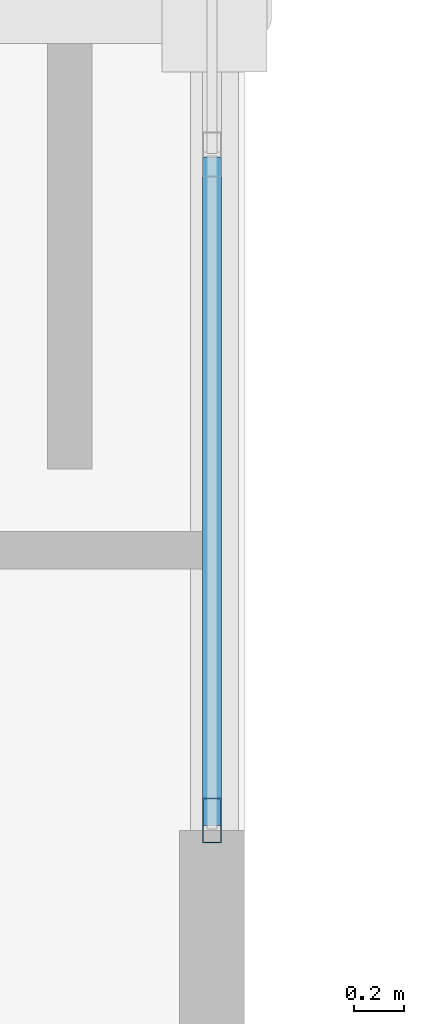
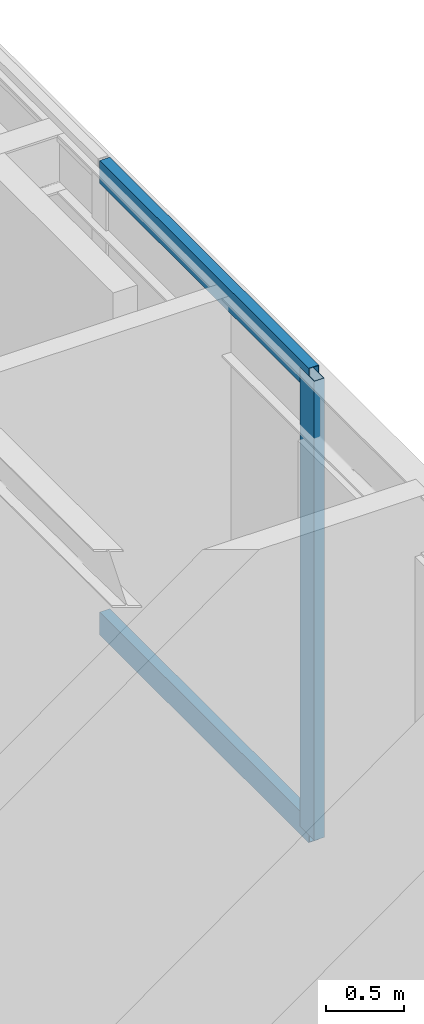
# One storey, part 2 of 19: 3 members, 1 element without a shape of its own.
"""IFC4 building model written with IfcOpenShell, lengths in metres."""

from ifc_helpers import new_model, si_unit, direction, frame, origin, origin_2d, place, context, subcontext, project, spatial, hollow_rectangle, extrude, material, material_profile, profile_set, type_object, element, aggregate, save


model = new_model("IFC4")

# Units and contexts
model_context = context("Model", 3, precision=1e-05, world=origin(), true_north=direction((0.0, 1.0)))
body_context = subcontext(model_context, "Body", "Model", "MODEL_VIEW")
ifc_project = project(units=[si_unit("LENGTHUNIT", "METRE"), si_unit("AREAUNIT", "SQUARE_METRE"), si_unit("VOLUMEUNIT", "CUBIC_METRE"), si_unit("PLANEANGLEUNIT", "RADIAN"), si_unit("MASSUNIT", "GRAM", prefix="KILO")], contexts=[model_context])

# Site, building, storey
site_placement = place(None, origin())
site = spatial("IfcSite", under=ifc_project, at=site_placement, CompositionType="ELEMENT")
building_placement = place(site_placement, origin())
building = spatial("IfcBuilding", under=site, at=building_placement, Name="Ventersveld Concourse Tower", CompositionType="ELEMENT")
storey_placement = place(building_placement, frame((0.0, 0.0, 345.199951171875)))
storey = spatial("IfcBuildingStorey", under=building, at=storey_placement, Name="L85", CompositionType="ELEMENT", Elevation=345.199951171875)

# Curtain wall, members
ifc_material = material(Name="Anodised aluminium EN AW-6063-T6", Category="aluminium")
curtain_wall_type = type_object("IfcCurtainWallType", Name="CW-WP-5", PredefinedType="NOTDEFINED", material=ifc_material)
curtain_wall_placement = place(storey_placement, origin())
curtain_wall = element("IfcCurtainWall", 1, at=curtain_wall_placement, inside=storey, type_object=curtain_wall_type, Name="L85 L85 Wind Portal Aerodynamic Cheek Curtain Wall", PredefinedType="NOTDEFINED")
ifc_material_profile_1 = material_profile(ifc_material, hollow_rectangle(XDim=0.074951171875, YDim=0.179931640625, WallThickness=0.00390625, at=origin_2d()), Name="ALU 180x75x4")
ifc_profile_set_1 = profile_set([ifc_material_profile_1], Name="Anodised aluminium EN AW-6063-T6")
member_type_1 = type_object("IfcMemberType", Name="CWM-180x75", PredefinedType="MULLION", material=ifc_profile_set_1)
member_1_placement = place(storey_placement, frame((23.3701171875, 14.2900390625, 0.0), z_axis=(0.0, 0.0, 1.0), x_axis=(1.0, 0.0, 0.0)))
member_1 = element("IfcMember", 2, at=member_1_placement, type_object=member_type_1, Name="CW-L85-WP-W Mullion 01", PredefinedType="MULLION", context=body_context, shape_type="SweptSolid", body=[
    extrude(hollow_rectangle(XDim=0.074951171875, YDim=0.179931640625, WallThickness=0.00390625, at=origin_2d()), origin(), (0.0, 0.0, 1.0), 3.590087890625),
])
ifc_material_profile_2 = material_profile(ifc_material, hollow_rectangle(XDim=0.074951171875, YDim=0.179931640625, WallThickness=0.00390625, at=origin_2d()), Name="ALU 180x75x4")
ifc_profile_set_2 = profile_set([ifc_material_profile_2], Name="Anodised aluminium EN AW-6063-T6")
member_type_2 = type_object("IfcMemberType", Name="CWT-180x75", PredefinedType="USERDEFINED", material=ifc_profile_set_2)
member_2_placement = place(storey_placement, frame((23.3701171875, 14.27001953125, 0.030029296875), z_axis=(0.0, 1.0, 0.0), x_axis=(-1.0, 0.0, 0.0)))
member_2 = element("IfcMember", 3, at=member_2_placement, type_object=member_type_2, Name="CW-L85-WP-W Transom 1-01", ObjectType="TRANSOM", PredefinedType="USERDEFINED", context=body_context, shape_type="SweptSolid", body=[
    extrude(hollow_rectangle(XDim=0.074951171875, YDim=0.179931640625, WallThickness=0.00390625, at=origin_2d()), origin(), (0.0, 0.0, 1.0), 2.6787109375),
])
member_3_placement = place(storey_placement, frame((23.3701171875, 14.27001953125, 3.56005859375), z_axis=(0.0, 1.0, 0.0), x_axis=(-1.0, 0.0, 0.0)))
member_3 = element("IfcMember", 4, at=member_3_placement, type_object=member_type_2, Name="CW-L85-WP-W Transom 2-01", ObjectType="TRANSOM", PredefinedType="USERDEFINED", context=body_context, shape_type="SweptSolid", body=[
    extrude(hollow_rectangle(XDim=0.074951171875, YDim=0.179931640625, WallThickness=0.00390625, at=origin_2d()), origin(), (0.0, 0.0, 1.0), 2.6787109375),
])
aggregate(curtain_wall, [member_1, member_2, member_3])

save(model, "model.ifc")
